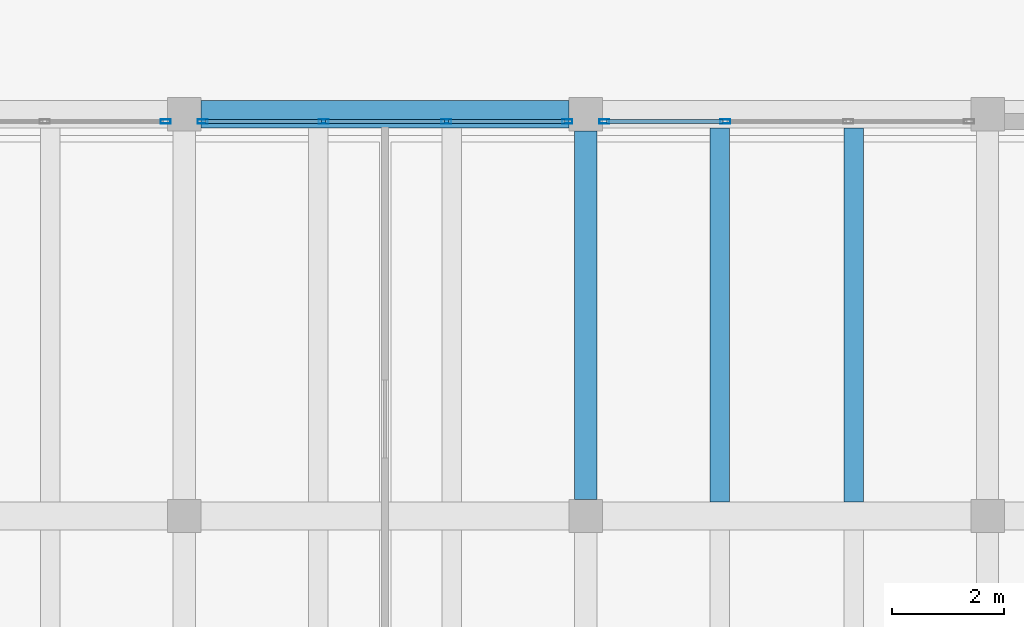
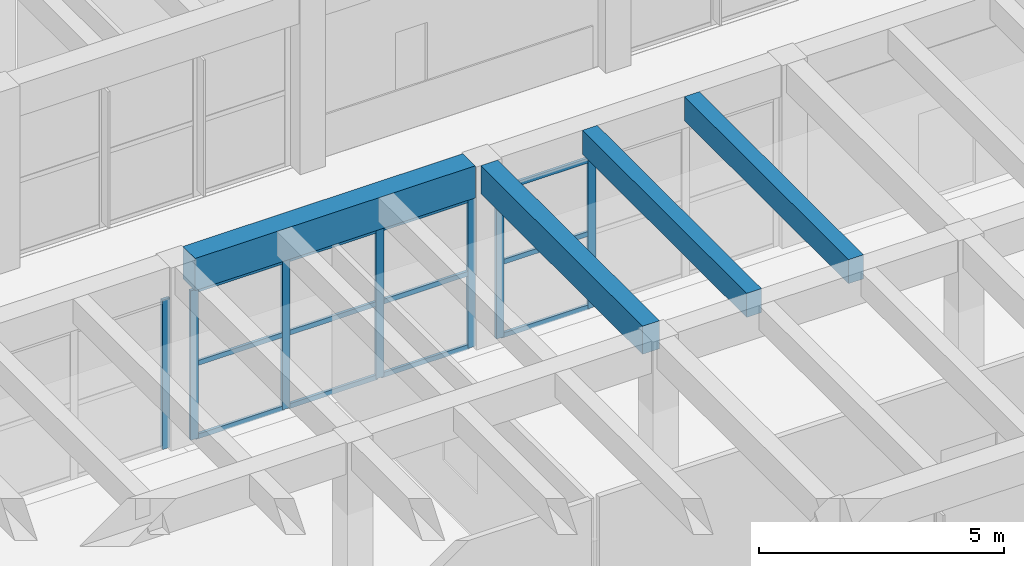
# One storey, part 86 of 155: 19 members, 4 beams, 3 elements without a shape of their own.
"""IFC4 building model written with IfcOpenShell, lengths in metres."""

from ifc_helpers import new_model, si_unit, direction, frame, origin, origin_2d, place, context, subcontext, project, spatial, rectangle, hollow_rectangle, extrude, material, material_profile, profile_set, type_object, element, aggregate, save


model = new_model("IFC4")

# Units and contexts
model_context = context("Model", 3, precision=1e-05, world=origin(), true_north=direction((0.0, 1.0)))
body_context = subcontext(model_context, "Body", "Model", "MODEL_VIEW")
ifc_project = project(units=[si_unit("LENGTHUNIT", "METRE"), si_unit("AREAUNIT", "SQUARE_METRE"), si_unit("VOLUMEUNIT", "CUBIC_METRE"), si_unit("PLANEANGLEUNIT", "RADIAN"), si_unit("MASSUNIT", "GRAM", prefix="KILO")], contexts=[model_context])

# Site, building, storey
site_placement = place(None, origin())
site = spatial("IfcSite", under=ifc_project, at=site_placement, CompositionType="ELEMENT")
building_placement = place(site_placement, origin())
building = spatial("IfcBuilding", under=site, at=building_placement, Name="Bramvelor Terrace Health Centre", CompositionType="ELEMENT")
storey_placement = place(building_placement, origin())
storey = spatial("IfcBuildingStorey", under=building, at=storey_placement, Name="L01", CompositionType="ELEMENT", Elevation=0.0)

# Beams
ifc_material_1 = material(Name="Concrete C40/50", Category="concrete")
ifc_material_profile_1 = material_profile(ifc_material_1, rectangle(XDim=0.39990234375, YDim=0.699951171875, at=origin_2d()), Name="RC 400x700")
ifc_profile_set_1 = profile_set([ifc_material_profile_1], Name="Concrete C40/50")
beam_type_1 = type_object("IfcBeamType", Name="BM-RC-G700", PredefinedType="BEAM", material=ifc_profile_set_1)
beam_1_placement = place(storey_placement, frame((72.0, 72.300048828125, 4.2099609375), z_axis=(0.0, 1.0, 0.0), x_axis=(-1.0, 0.0, 0.0)))
element("IfcBeam", 1, at=beam_1_placement, inside=storey, type_object=beam_type_1, Name="L01 Floor Girder", PredefinedType="BEAM", context=body_context, shape_type="SweptSolid", body=[
    extrude(rectangle(XDim=0.39990234375, YDim=0.699951171875, at=origin_2d()), origin(), (0.0, 0.0, 1.0), 6.599853515625),
])
ifc_material_2 = material(Name="Concrete C40/50", Category="concrete")
ifc_material_profile_2 = material_profile(ifc_material_2, rectangle(XDim=0.5, YDim=0.800048828125, at=origin_2d()), Name="RC 500x800")
ifc_profile_set_2 = profile_set([ifc_material_profile_2], Name="Concrete C40/50")
beam_type_2 = type_object("IfcBeamType", Name="BM-RC-G800", PredefinedType="BEAM", material=ifc_profile_set_2)
beam_2_placement = place(storey_placement, frame((65.10009765625, 79.199951171875, 4.159912109375), z_axis=(1.0, 0.0, 0.0), x_axis=(0.0, 1.0, 0.0)))
element("IfcBeam", 2, at=beam_2_placement, inside=storey, type_object=beam_type_2, Name="L01 Floor Girder", PredefinedType="BEAM", context=body_context, shape_type="SweptSolid", body=[
    extrude(rectangle(XDim=0.5, YDim=0.800048828125, at=origin_2d()), origin(), (0.0, 0.0, 1.0), 6.599853515625),
])
ifc_material_3 = material(Name="Concrete C40/50", Category="concrete")
ifc_material_profile_3 = material_profile(ifc_material_3, rectangle(XDim=0.35009765625, YDim=0.60009765625, at=origin_2d()), Name="RC 350x600")
ifc_profile_set_3 = profile_set([ifc_material_profile_3], Name="Concrete C40/50")
beam_type_3 = type_object("IfcBeamType", Name="BM-RC-J600", PredefinedType="JOIST", material=ifc_profile_set_3)
for number, where, z_axis, x_axis, name in (
    (3, (74.39990234375, 72.25, 4.260009765625), (0.0, 1.0, 0.0), (-1.0, 0.0, 0.0), "L01 Secondary Floor Joist"),
    (4, (76.800048828125, 72.25, 4.260009765625), (0.0, 1.0, 0.0), (-1.0, 0.0, 0.0), "L01 Secondary Floor Joist"),
):
    element("IfcBeam", number, at=place(storey_placement, frame(where, z_axis=z_axis, x_axis=x_axis)), inside=storey, type_object=beam_type_3, Name=name, PredefinedType="JOIST", context=body_context, shape_type="SweptSolid", body=[
        extrude(rectangle(XDim=0.35009765625, YDim=0.60009765625, at=origin_2d()), origin(), (0.0, 0.0, 1.0), 6.699951171875),
    ])

# Curtain wall, member
ifc_material_4 = material(Name="Anodized aluminium and double low-E glass", Category="aluminium")
curtain_wall_type = type_object("IfcCurtainWallType", Name="CW-SYS-02", PredefinedType="NOTDEFINED", material=ifc_material_4)
curtain_wall_1_placement = place(storey_placement, origin())
curtain_wall_1 = element("IfcCurtainWall", 5, at=curtain_wall_1_placement, inside=storey, type_object=curtain_wall_type, Name="L01 Unitized Curtain Wall 30", PredefinedType="NOTDEFINED")
ifc_material_5 = material(Name="Anodized aluminium 6063-T6", Category="aluminium")
ifc_material_profile_4 = material_profile(ifc_material_5, hollow_rectangle(XDim=0.074951171875, YDim=0.179931640625, WallThickness=0.00341796875, at=origin_2d()), Name="ALU-MUL 75x180x3.5")
ifc_profile_set_4 = profile_set([ifc_material_profile_4], Name="Anodized aluminium 6063-T6")
member_type_1 = type_object("IfcMemberType", Name="CW-MUL-65x180", PredefinedType="MULLION", material=ifc_profile_set_4)
member_1_placement = place(storey_placement, frame((64.467529296875, 79.070068359375, 0.0), z_axis=(0.0, 0.0, 1.0), x_axis=(0.0, 1.0, 0.0)))
member_1 = element("IfcMember", 6, at=member_1_placement, type_object=member_type_1, Name="CW-02 mullion 4", PredefinedType="MULLION", context=body_context, shape_type="SweptSolid", body=[
    extrude(hollow_rectangle(XDim=0.074951171875, YDim=0.179931640625, WallThickness=0.00341796875, at=origin_2d()), origin(), (0.0, 0.0, 1.0), 3.719970703125),
])
aggregate(curtain_wall_1, [member_1])

# Curtain wall, members
curtain_wall_2_placement = place(storey_placement, origin())
curtain_wall_2 = element("IfcCurtainWall", 7, at=curtain_wall_2_placement, inside=storey, type_object=curtain_wall_type, Name="L01 Unitized Curtain Wall 31", PredefinedType="NOTDEFINED")
member_2_placement = place(storey_placement, frame((65.132568359375, 79.070068359375, 0.0), z_axis=(0.0, 0.0, 1.0), x_axis=(0.0, 1.0, 0.0)))
member_2 = element("IfcMember", 8, at=member_2_placement, type_object=member_type_1, Name="CW-02 mullion 1", PredefinedType="MULLION", context=body_context, shape_type="SweptSolid", body=[
    extrude(hollow_rectangle(XDim=0.074951171875, YDim=0.179931640625, WallThickness=0.00341796875, at=origin_2d()), origin(), (0.0, 0.0, 1.0), 3.719970703125),
])
member_3_placement = place(storey_placement, frame((67.29833984375, 79.070068359375, 0.0), z_axis=(0.0, 0.0, 1.0), x_axis=(0.0, 1.0, 0.0)))
member_3 = element("IfcMember", 9, at=member_3_placement, type_object=member_type_1, Name="CW-02 mullion 2", PredefinedType="MULLION", context=body_context, shape_type="SweptSolid", body=[
    extrude(hollow_rectangle(XDim=0.074951171875, YDim=0.179931640625, WallThickness=0.00341796875, at=origin_2d()), origin(), (0.0, 0.0, 1.0), 3.719970703125),
])
member_4_placement = place(storey_placement, frame((69.501708984375, 79.070068359375, 0.0), z_axis=(0.0, 0.0, 1.0), x_axis=(0.0, 1.0, 0.0)))
member_4 = element("IfcMember", 10, at=member_4_placement, type_object=member_type_1, Name="CW-02 mullion 3", PredefinedType="MULLION", context=body_context, shape_type="SweptSolid", body=[
    extrude(hollow_rectangle(XDim=0.074951171875, YDim=0.179931640625, WallThickness=0.00341796875, at=origin_2d()), origin(), (0.0, 0.0, 1.0), 3.719970703125),
])
member_5_placement = place(storey_placement, frame((71.66748046875, 79.070068359375, 0.0), z_axis=(0.0, 0.0, 1.0), x_axis=(0.0, 1.0, 0.0)))
member_5 = element("IfcMember", 11, at=member_5_placement, type_object=member_type_1, Name="CW-02 mullion 4", PredefinedType="MULLION", context=body_context, shape_type="SweptSolid", body=[
    extrude(hollow_rectangle(XDim=0.074951171875, YDim=0.179931640625, WallThickness=0.00341796875, at=origin_2d()), origin(), (0.0, 0.0, 1.0), 3.719970703125),
])

curtain_wall_3_placement = place(storey_placement, origin())
curtain_wall_3 = element("IfcCurtainWall", 12, at=curtain_wall_3_placement, inside=storey, type_object=curtain_wall_type, Name="L01 Unitized Curtain Wall 32", PredefinedType="NOTDEFINED")
member_6_placement = place(storey_placement, frame((72.33251953125, 79.070068359375, 0.0), z_axis=(0.0, 0.0, 1.0), x_axis=(0.0, 1.0, 0.0)))
member_6 = element("IfcMember", 13, at=member_6_placement, type_object=member_type_1, Name="CW-02 mullion 1", PredefinedType="MULLION", context=body_context, shape_type="SweptSolid", body=[
    extrude(hollow_rectangle(XDim=0.074951171875, YDim=0.179931640625, WallThickness=0.00341796875, at=origin_2d()), origin(), (0.0, 0.0, 1.0), 3.719970703125),
])
member_7_placement = place(storey_placement, frame((74.498291015625, 79.070068359375, 0.0), z_axis=(0.0, 0.0, 1.0), x_axis=(0.0, 1.0, 0.0)))
member_7 = element("IfcMember", 14, at=member_7_placement, type_object=member_type_1, Name="CW-02 mullion 2", PredefinedType="MULLION", context=body_context, shape_type="SweptSolid", body=[
    extrude(hollow_rectangle(XDim=0.074951171875, YDim=0.179931640625, WallThickness=0.00341796875, at=origin_2d()), origin(), (0.0, 0.0, 1.0), 3.719970703125),
])

# Member
ifc_material_6 = material(Name="Anodized aluminium 6063-T6", Category="aluminium")
ifc_material_profile_5 = material_profile(ifc_material_6, hollow_rectangle(XDim=0.06494140625, YDim=0.1201171875, WallThickness=0.0029296875, at=origin_2d()), Name="ALU-TRN 65x120x3.0")
ifc_profile_set_5 = profile_set([ifc_material_profile_5], Name="Anodized aluminium 6063-T6")
member_type_2 = type_object("IfcMemberType", Name="CW-TRN-65x150", PredefinedType="USERDEFINED", material=ifc_profile_set_5)
member_8_placement = place(storey_placement, frame((65.169921875, 79.070068359375, 0.032470703125), z_axis=(1.0, 0.0, 0.0), x_axis=(0.0, 1.0, 0.0)))
member_8 = element("IfcMember", 15, at=member_8_placement, type_object=member_type_2, Name="CW-02 transom 1.1", ObjectType="TRANSOM", PredefinedType="USERDEFINED", context=body_context, shape_type="SweptSolid", body=[
    extrude(hollow_rectangle(XDim=0.06494140625, YDim=0.1201171875, WallThickness=0.0029296875, at=origin_2d()), origin(), (0.0, 0.0, 1.0), 2.0908203125),
])

member_9_placement = place(storey_placement, frame((65.169921875, 79.070068359375, 1.860107421875), z_axis=(1.0, 0.0, 0.0), x_axis=(0.0, 1.0, 0.0)))
member_9 = element("IfcMember", 16, at=member_9_placement, type_object=member_type_2, Name="CW-02 transom 1.2", ObjectType="TRANSOM", PredefinedType="USERDEFINED", context=body_context, shape_type="SweptSolid", body=[
    extrude(hollow_rectangle(XDim=0.06494140625, YDim=0.1201171875, WallThickness=0.0029296875, at=origin_2d()), origin(), (0.0, 0.0, 1.0), 2.0908203125),
])

member_10_placement = place(storey_placement, frame((65.169921875, 79.070068359375, 3.6875), z_axis=(1.0, 0.0, 0.0), x_axis=(0.0, 1.0, 0.0)))
member_10 = element("IfcMember", 17, at=member_10_placement, type_object=member_type_2, Name="CW-02 transom 1.3", ObjectType="TRANSOM", PredefinedType="USERDEFINED", context=body_context, shape_type="SweptSolid", body=[
    extrude(hollow_rectangle(XDim=0.06494140625, YDim=0.1201171875, WallThickness=0.0029296875, at=origin_2d()), origin(), (0.0, 0.0, 1.0), 2.0908203125),
])

member_11_placement = place(storey_placement, frame((67.3359375, 79.070068359375, 0.032470703125), z_axis=(1.0, 0.0, 0.0), x_axis=(0.0, 1.0, 0.0)))
member_11 = element("IfcMember", 18, at=member_11_placement, type_object=member_type_2, Name="CW-02 transom 2.1", ObjectType="TRANSOM", PredefinedType="USERDEFINED", context=body_context, shape_type="SweptSolid", body=[
    extrude(hollow_rectangle(XDim=0.06494140625, YDim=0.1201171875, WallThickness=0.0029296875, at=origin_2d()), origin(), (0.0, 0.0, 1.0), 2.128173828125),
])

member_12_placement = place(storey_placement, frame((67.3359375, 79.070068359375, 1.860107421875), z_axis=(1.0, 0.0, 0.0), x_axis=(0.0, 1.0, 0.0)))
member_12 = element("IfcMember", 19, at=member_12_placement, type_object=member_type_2, Name="CW-02 transom 2.2", ObjectType="TRANSOM", PredefinedType="USERDEFINED", context=body_context, shape_type="SweptSolid", body=[
    extrude(hollow_rectangle(XDim=0.06494140625, YDim=0.1201171875, WallThickness=0.0029296875, at=origin_2d()), origin(), (0.0, 0.0, 1.0), 2.128173828125),
])

member_13_placement = place(storey_placement, frame((67.3359375, 79.070068359375, 3.6875), z_axis=(1.0, 0.0, 0.0), x_axis=(0.0, 1.0, 0.0)))
member_13 = element("IfcMember", 20, at=member_13_placement, type_object=member_type_2, Name="CW-02 transom 2.3", ObjectType="TRANSOM", PredefinedType="USERDEFINED", context=body_context, shape_type="SweptSolid", body=[
    extrude(hollow_rectangle(XDim=0.06494140625, YDim=0.1201171875, WallThickness=0.0029296875, at=origin_2d()), origin(), (0.0, 0.0, 1.0), 2.128173828125),
])

member_14_placement = place(storey_placement, frame((69.5390625, 79.070068359375, 0.032470703125), z_axis=(1.0, 0.0, 0.0), x_axis=(0.0, 1.0, 0.0)))
member_14 = element("IfcMember", 21, at=member_14_placement, type_object=member_type_2, Name="CW-02 transom 3.1", ObjectType="TRANSOM", PredefinedType="USERDEFINED", context=body_context, shape_type="SweptSolid", body=[
    extrude(hollow_rectangle(XDim=0.06494140625, YDim=0.1201171875, WallThickness=0.0029296875, at=origin_2d()), origin(), (0.0, 0.0, 1.0), 2.0908203125),
])

member_15_placement = place(storey_placement, frame((69.5390625, 79.070068359375, 1.860107421875), z_axis=(1.0, 0.0, 0.0), x_axis=(0.0, 1.0, 0.0)))
member_15 = element("IfcMember", 22, at=member_15_placement, type_object=member_type_2, Name="CW-02 transom 3.2", ObjectType="TRANSOM", PredefinedType="USERDEFINED", context=body_context, shape_type="SweptSolid", body=[
    extrude(hollow_rectangle(XDim=0.06494140625, YDim=0.1201171875, WallThickness=0.0029296875, at=origin_2d()), origin(), (0.0, 0.0, 1.0), 2.0908203125),
])

member_16_placement = place(storey_placement, frame((69.5390625, 79.070068359375, 3.6875), z_axis=(1.0, 0.0, 0.0), x_axis=(0.0, 1.0, 0.0)))
member_16 = element("IfcMember", 23, at=member_16_placement, type_object=member_type_2, Name="CW-02 transom 3.3", ObjectType="TRANSOM", PredefinedType="USERDEFINED", context=body_context, shape_type="SweptSolid", body=[
    extrude(hollow_rectangle(XDim=0.06494140625, YDim=0.1201171875, WallThickness=0.0029296875, at=origin_2d()), origin(), (0.0, 0.0, 1.0), 2.0908203125),
])

aggregate(curtain_wall_2, [member_2, member_3, member_4, member_5, member_8, member_9, member_10, member_11, member_12, member_13, member_14, member_15, member_16])

member_17_placement = place(storey_placement, frame((72.3701171875, 79.070068359375, 0.032470703125), z_axis=(1.0, 0.0, 0.0), x_axis=(0.0, 1.0, 0.0)))
member_17 = element("IfcMember", 24, at=member_17_placement, type_object=member_type_2, Name="CW-02 transom 1.1", ObjectType="TRANSOM", PredefinedType="USERDEFINED", context=body_context, shape_type="SweptSolid", body=[
    extrude(hollow_rectangle(XDim=0.06494140625, YDim=0.1201171875, WallThickness=0.0029296875, at=origin_2d()), origin(), (0.0, 0.0, 1.0), 2.0908203125),
])

member_18_placement = place(storey_placement, frame((72.3701171875, 79.070068359375, 1.860107421875), z_axis=(1.0, 0.0, 0.0), x_axis=(0.0, 1.0, 0.0)))
member_18 = element("IfcMember", 25, at=member_18_placement, type_object=member_type_2, Name="CW-02 transom 1.2", ObjectType="TRANSOM", PredefinedType="USERDEFINED", context=body_context, shape_type="SweptSolid", body=[
    extrude(hollow_rectangle(XDim=0.06494140625, YDim=0.1201171875, WallThickness=0.0029296875, at=origin_2d()), origin(), (0.0, 0.0, 1.0), 2.0908203125),
])

member_19_placement = place(storey_placement, frame((72.3701171875, 79.070068359375, 3.6875), z_axis=(1.0, 0.0, 0.0), x_axis=(0.0, 1.0, 0.0)))
member_19 = element("IfcMember", 26, at=member_19_placement, type_object=member_type_2, Name="CW-02 transom 1.3", ObjectType="TRANSOM", PredefinedType="USERDEFINED", context=body_context, shape_type="SweptSolid", body=[
    extrude(hollow_rectangle(XDim=0.06494140625, YDim=0.1201171875, WallThickness=0.0029296875, at=origin_2d()), origin(), (0.0, 0.0, 1.0), 2.0908203125),
])

aggregate(curtain_wall_3, [member_6, member_7, member_17, member_18, member_19])

save(model, "model.ifc")
